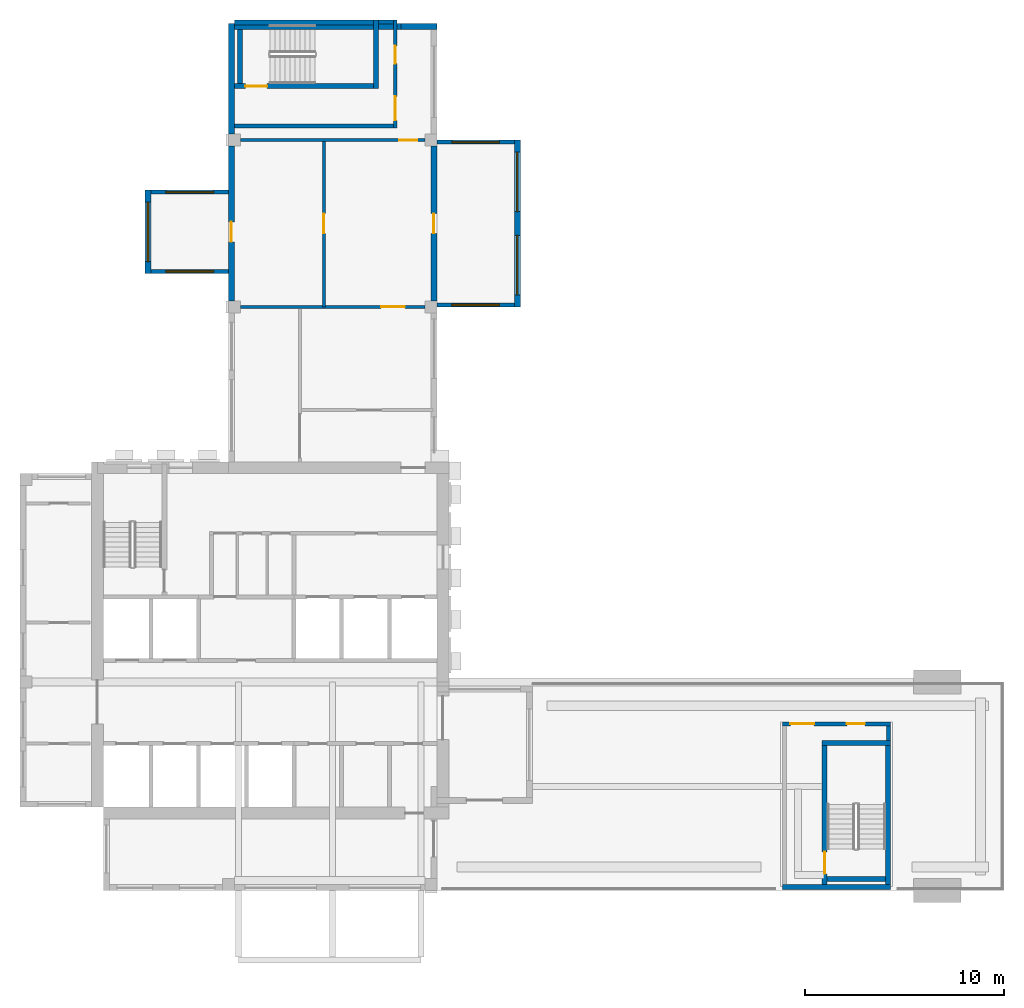
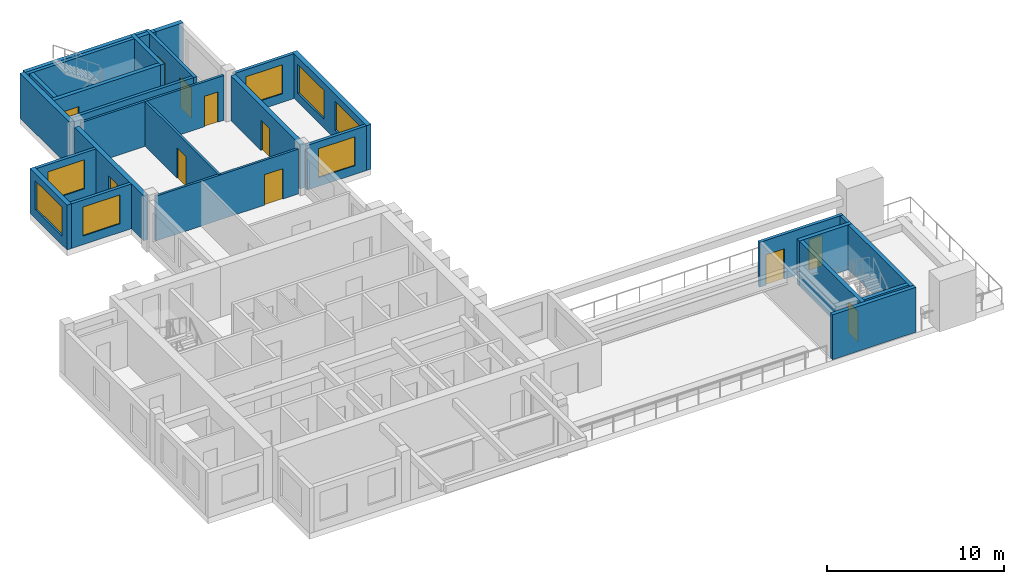
# One storey, part 4 of 9: 28 walls, 11 doors, 7 windows, 18 openings.
"""IFC4 building model written with IfcOpenShell, lengths in metres."""

from ifc_helpers import new_model, si_unit, direction, frame, frame_2d, origin, place, context, subcontext, project, spatial, rectangle, extrude, source, transform, mapped, material, layer, layer_set, type_object, element, fill, save


model = new_model("IFC4")

# Units and contexts
model_context = context("Model", 3, precision=1e-05, world=origin(), true_north=direction((0.0, 1.0)))
body_context = subcontext(model_context, "Body", "Model", "MODEL_VIEW")
ifc_project = project(units=[si_unit("LENGTHUNIT", "METRE"), si_unit("AREAUNIT", "SQUARE_METRE"), si_unit("VOLUMEUNIT", "CUBIC_METRE"), si_unit("PLANEANGLEUNIT", "RADIAN"), si_unit("MASSUNIT", "GRAM", prefix="KILO")], contexts=[model_context])

# Site, building, storey
site_placement = place(None, origin())
site = spatial("IfcSite", under=ifc_project, at=site_placement, CompositionType="ELEMENT")
building_placement = place(site_placement, origin())
building = spatial("IfcBuilding", under=site, at=building_placement, Name="Aurelian Terraces", CompositionType="ELEMENT")
storey_placement = place(building_placement, frame((0.0, 0.0, 330.0)))
storey = spatial("IfcBuildingStorey", under=building, at=storey_placement, Name="L77", CompositionType="ELEMENT", Elevation=330.0)

# Wall, opening, door
ifc_material_1 = material(Name="Gypsum board on steel studs", Category="steel")
ifc_layer_1 = layer(ifc_material_1, 0.15)
ifc_layer_set_1 = layer_set([ifc_layer_1], Name="Partition 150")
wall_type_1 = type_object("IfcWallType", Name="Partition 150", PredefinedType="PARTITIONING", material=ifc_layer_set_1)
wall_1_placement = place(storey_placement, frame((15.3, 37.725, 0.0), z_axis=(0.0, 0.0, 1.0), x_axis=(0.0, -1.0, 0.0)))
wall_1 = element("IfcWall", 1, at=wall_1_placement, inside=storey, type_object=wall_type_1, Name="Partition", PredefinedType="PARTITIONING", context=body_context, shape_type="SweptSolid", body=[
    extrude(rectangle(XDim=8.325, YDim=0.15, at=frame_2d((4.1625, 0.0))), origin(), (0.0, 0.0, 1.0), 3.1),
])
shared_shape_1 = source(origin(), body_context, "Body", "SweptSolid", [
    extrude(rectangle(XDim=1.0, YDim=2.1, at=frame_2d((0.5, 1.05))), frame((0.0, 0.085, 0.0), z_axis=(0.0, -1.0, 0.0), x_axis=(1.0, 0.0, 0.0)), (0.0, 0.0, 1.0), 0.17),
])
opening_1_placement = place(wall_1_placement, frame((3.625, 0.0, 0.0)))
opening_1 = element("IfcOpeningElement", 2, at=opening_1_placement, cuts=wall_1, Name="Opening 777005", PredefinedType="OPENING", context=body_context, shape_type="MappedRepresentation", body=[
    mapped(shared_shape_1, transform((0.0, 0.0, 0.0), scale=1.0)),
])
ifc_material_2 = material(Name="Timber door leaf", Category="wood")
door_type_1 = type_object("IfcDoorType", Name="Room door 1000x2100 right", OperationType="SINGLE_SWING_RIGHT", PredefinedType="DOOR", material=ifc_material_2)
shared_shape_2 = source(origin(), body_context, "Body", "SweptSolid", [
    extrude(rectangle(XDim=1.0, YDim=2.1, at=frame_2d((0.5, 1.05))), frame((0.0, 0.025, 0.0), z_axis=(0.0, -1.0, 0.0), x_axis=(1.0, 0.0, 0.0)), (0.0, 0.0, 1.0), 0.05),
])
door_1_placement = place(opening_1_placement, origin())
door_1 = element("IfcDoor", 3, at=door_1_placement, inside=storey, type_object=door_type_1, Name="Door 777005", OperationType="SINGLE_SWING_RIGHT", OverallHeight=2.1, OverallWidth=1.0, PredefinedType="DOOR", context=body_context, shape_type="MappedRepresentation", body=[
    mapped(shared_shape_2, transform((0.0, 0.0, 0.0), scale=1.0)),
])
fill(opening_1, door_1)

wall_2_placement = place(storey_placement, frame((11.099, 29.4, 0.0), z_axis=(0.0, 0.0, 1.0), x_axis=(1.0, 0.0, 0.0)))
wall_2 = element("IfcWall", 4, at=wall_2_placement, inside=storey, type_object=wall_type_1, Name="Partition", PredefinedType="PARTITIONING", context=body_context, shape_type="SweptSolid", body=[
    extrude(rectangle(XDim=9.302, YDim=0.15, at=frame_2d((4.651, 0.0))), origin(), (0.0, 0.0, 1.0), 3.1),
])
shared_shape_3 = source(origin(), body_context, "Body", "SweptSolid", [
    extrude(rectangle(XDim=1.2, YDim=2.1, at=frame_2d((0.6, 1.05))), frame((0.0, 0.085, 0.0), z_axis=(0.0, -1.0, 0.0), x_axis=(1.0, 0.0, 0.0)), (0.0, 0.0, 1.0), 0.17),
])
opening_2_placement = place(wall_2_placement, frame((7.0885, 0.0, 0.0)))
opening_2 = element("IfcOpeningElement", 5, at=opening_2_placement, cuts=wall_2, Name="Opening 777006", PredefinedType="OPENING", context=body_context, shape_type="MappedRepresentation", body=[
    mapped(shared_shape_3, transform((0.0, 0.0, 0.0), scale=1.0)),
])
door_type_2 = type_object("IfcDoorType", Name="Room door 1200x2100 left", OperationType="SINGLE_SWING_LEFT", PredefinedType="DOOR", material=ifc_material_2)
shared_shape_4 = source(origin(), body_context, "Body", "SweptSolid", [
    extrude(rectangle(XDim=1.2, YDim=2.1, at=frame_2d((0.6, 1.05))), frame((0.0, 0.025, 0.0), z_axis=(0.0, -1.0, 0.0), x_axis=(1.0, 0.0, 0.0)), (0.0, 0.0, 1.0), 0.05),
])
door_2_placement = place(opening_2_placement, origin())
door_2 = element("IfcDoor", 6, at=door_2_placement, inside=storey, type_object=door_type_2, Name="Door 777006", OperationType="SINGLE_SWING_LEFT", OverallHeight=2.1, OverallWidth=1.2, PredefinedType="DOOR", context=body_context, shape_type="MappedRepresentation", body=[
    mapped(shared_shape_4, transform((0.0, 0.0, 0.0), scale=1.0)),
])
fill(opening_2, door_2)

# Wall
ifc_material_3 = material(Name="Concrete fc' 40 MPa", Category="concrete")
ifc_layer_2 = layer(ifc_material_3, 0.25)
ifc_layer_set_2 = layer_set([ifc_layer_2], Name="Stair enclosure wall 250")
wall_type_2 = type_object("IfcWallType", Name="Stair enclosure wall 250", PredefinedType="SOLIDWALL", material=ifc_layer_set_2)
wall_3_placement = place(storey_placement, frame((38.4, 0.175, 0.0), z_axis=(0.0, 0.0, 1.0), x_axis=(1.0, 0.0, 0.0)))
element("IfcWall", 7, at=wall_3_placement, inside=storey, type_object=wall_type_2, Name="L77 core wall ST-S2-S", PredefinedType="SOLIDWALL", context=body_context, shape_type="SweptSolid", body=[
    extrude(rectangle(XDim=5.45, YDim=0.25, at=frame_2d((2.725, 0.0))), origin(), (0.0, 0.0, 1.0), 3.1),
])

# Wall, opening, window
ifc_layer_3 = layer(ifc_material_3, 0.2)
ifc_layer_set_3 = layer_set([ifc_layer_3], Name="BOX BEARING WALL 200")
wall_type_3 = type_object("IfcWallType", Name="BOX BEARING WALL 200", PredefinedType="SOLIDWALL", material=ifc_layer_set_3)
shared_shape_5 = source(origin(), body_context, "Body", "SweptSolid", [
    extrude(rectangle(XDim=3.9, YDim=0.2, at=frame_2d((1.95, 0.0))), origin(), (0.0, 0.0, 1.0), 3.09),
])
wall_4_placement = place(storey_placement, frame((21.0, 29.5, 0.0), z_axis=(0.0, 0.0, 1.0), x_axis=(1.0, 0.0, 0.0)))
wall_4 = element("IfcWall", 8, at=wall_4_placement, inside=storey, type_object=wall_type_3, Name="Box return L77 J91.1", PredefinedType="SOLIDWALL", context=body_context, shape_type="MappedRepresentation", body=[
    mapped(shared_shape_5, transform((0.0, 0.0, 0.0), scale=1.0)),
])
shared_shape_6 = source(origin(), body_context, "Body", "SweptSolid", [
    extrude(rectangle(XDim=2.4, YDim=2.0, at=frame_2d((1.2, 1.0))), frame((0.0, 0.11, 0.0), z_axis=(0.0, -1.0, 0.0), x_axis=(1.0, 0.0, 0.0)), (0.0, 0.0, 1.0), 0.22),
])
opening_3_placement = place(wall_4_placement, frame((0.75, 0.0, 0.6)))
opening_3 = element("IfcOpeningElement", 9, at=opening_3_placement, cuts=wall_4, Name="Opening W2420", PredefinedType="OPENING", context=body_context, shape_type="MappedRepresentation", body=[
    mapped(shared_shape_6, transform((0.0, 0.0, 0.0), scale=1.0)),
])
ifc_material_4 = material(Name="Clear glazing", Category="glass")
window_type_1 = type_object("IfcWindowType", Name="W-2400x2000", PartitioningType="SINGLE_PANEL", PredefinedType="WINDOW", material=ifc_material_4)
shared_shape_7 = source(origin(), body_context, "Body", "SweptSolid", [
    extrude(rectangle(XDim=2.4, YDim=2.0, at=frame_2d((1.2, 1.0))), frame((0.0, 0.03, 0.0), z_axis=(0.0, -1.0, 0.0), x_axis=(1.0, 0.0, 0.0)), (0.0, 0.0, 1.0), 0.06),
])
window_1_placement = place(opening_3_placement, origin())
window_1 = element("IfcWindow", 10, at=window_1_placement, inside=storey, type_object=window_type_1, Name="Window L77 J91-S1", OverallHeight=2.0, OverallWidth=2.4, PartitioningType="SINGLE_PANEL", PredefinedType="WINDOW", context=body_context, shape_type="MappedRepresentation", body=[
    mapped(shared_shape_7, transform((0.0, 0.0, 0.0), scale=1.0)),
])
fill(opening_3, window_1)

wall_5_placement = place(storey_placement, frame((21.0, 37.7, 0.0), z_axis=(0.0, 0.0, 1.0), x_axis=(1.0, 0.0, 0.0)))
wall_5 = element("IfcWall", 11, at=wall_5_placement, inside=storey, type_object=wall_type_3, Name="Box return L77 J91.2", PredefinedType="SOLIDWALL", context=body_context, shape_type="MappedRepresentation", body=[
    mapped(shared_shape_5, transform((0.0, 0.0, 0.0), scale=1.0)),
])
opening_4_placement = place(wall_5_placement, frame((0.75, 0.0, 0.6)))
opening_4 = element("IfcOpeningElement", 12, at=opening_4_placement, cuts=wall_5, Name="Opening W2420", PredefinedType="OPENING", context=body_context, shape_type="MappedRepresentation", body=[
    mapped(shared_shape_6, transform((0.0, 0.0, 0.0), scale=1.0)),
])
window_2_placement = place(opening_4_placement, origin())
window_2 = element("IfcWindow", 13, at=window_2_placement, inside=storey, type_object=window_type_1, Name="Window L77 J91-S2", OverallHeight=2.0, OverallWidth=2.4, PartitioningType="SINGLE_PANEL", PredefinedType="WINDOW", context=body_context, shape_type="MappedRepresentation", body=[
    mapped(shared_shape_7, transform((0.0, 0.0, 0.0), scale=1.0)),
])
fill(opening_4, window_2)

wall_6_placement = place(storey_placement, frame((10.5, 35.18, 0.0), z_axis=(0.0, 0.0, 1.0), x_axis=(-1.0, 0.0, 0.0)))
wall_6 = element("IfcWall", 14, at=wall_6_placement, inside=storey, type_object=wall_type_3, Name="Box return L77 J92.1", PredefinedType="SOLIDWALL", context=body_context, shape_type="MappedRepresentation", body=[
    mapped(shared_shape_5, transform((0.0, 0.0, 0.0), scale=1.0)),
])
opening_5_placement = place(wall_6_placement, frame((0.75, 0.0, 0.6)))
opening_5 = element("IfcOpeningElement", 15, at=opening_5_placement, cuts=wall_6, Name="Opening W2420", PredefinedType="OPENING", context=body_context, shape_type="MappedRepresentation", body=[
    mapped(shared_shape_6, transform((0.0, 0.0, 0.0), scale=1.0)),
])
window_3_placement = place(opening_5_placement, origin())
window_3 = element("IfcWindow", 16, at=window_3_placement, inside=storey, type_object=window_type_1, Name="Window L77 J92-S1", OverallHeight=2.0, OverallWidth=2.4, PartitioningType="SINGLE_PANEL", PredefinedType="WINDOW", context=body_context, shape_type="MappedRepresentation", body=[
    mapped(shared_shape_7, transform((0.0, 0.0, 0.0), scale=1.0)),
])
fill(opening_5, window_3)

wall_7_placement = place(storey_placement, frame((10.5, 31.18, 0.0), z_axis=(0.0, 0.0, 1.0), x_axis=(-1.0, 0.0, 0.0)))
wall_7 = element("IfcWall", 17, at=wall_7_placement, inside=storey, type_object=wall_type_3, Name="Box return L77 J92.2", PredefinedType="SOLIDWALL", context=body_context, shape_type="MappedRepresentation", body=[
    mapped(shared_shape_5, transform((0.0, 0.0, 0.0), scale=1.0)),
])
opening_6_placement = place(wall_7_placement, frame((0.75, 0.0, 0.6)))
opening_6 = element("IfcOpeningElement", 18, at=opening_6_placement, cuts=wall_7, Name="Opening W2420", PredefinedType="OPENING", context=body_context, shape_type="MappedRepresentation", body=[
    mapped(shared_shape_6, transform((0.0, 0.0, 0.0), scale=1.0)),
])
window_4_placement = place(opening_6_placement, origin())
window_4 = element("IfcWindow", 19, at=window_4_placement, inside=storey, type_object=window_type_1, Name="Window L77 J92-S2", OverallHeight=2.0, OverallWidth=2.4, PartitioningType="SINGLE_PANEL", PredefinedType="WINDOW", context=body_context, shape_type="MappedRepresentation", body=[
    mapped(shared_shape_7, transform((0.0, 0.0, 0.0), scale=1.0)),
])
fill(opening_6, window_4)

# Walls
ifc_material_5 = material(Name="Terracotta rainscreen cladding", Category="masonry")
ifc_layer_4 = layer(ifc_material_5, 0.3)
ifc_layer_set_4 = layer_set([ifc_layer_4], Name="EW-300")
wall_type_4 = type_object("IfcWallType", Name="EW-300", PredefinedType="STANDARD", material=ifc_layer_set_4)
shared_shape_8 = source(origin(), body_context, "Body", "SweptSolid", [
    extrude(rectangle(XDim=1.8, YDim=0.3, at=frame_2d((0.9, 0.0))), origin(), (0.0, 0.0, 1.0), 3.1),
])
wall_8_placement = place(storey_placement, frame((21.0, 43.53, 0.0), z_axis=(0.0, 0.0, 1.0), x_axis=(-1.0, 0.0, 0.0)))
element("IfcWall", 20, at=wall_8_placement, inside=storey, type_object=wall_type_4, Name="External wall L77 F03.9", PredefinedType="STANDARD", context=body_context, shape_type="MappedRepresentation", body=[
    mapped(shared_shape_8, transform((0.0, 0.0, 0.0), scale=1.0)),
])
ifc_layer_5 = layer(ifc_material_3, 0.3)
ifc_layer_set_5 = layer_set([ifc_layer_5], Name="STAIR BAY WALL 300")
wall_type_5 = type_object("IfcWallType", Name="STAIR BAY WALL 300", PredefinedType="SOLIDWALL", material=ifc_layer_set_5)
shared_shape_9 = source(origin(), body_context, "Body", "SweptSolid", [
    extrude(rectangle(XDim=8.6, YDim=0.3, at=frame_2d((4.3, 0.0))), origin(), (0.0, 0.0, 1.0), 3.1),
])
wall_9_placement = place(storey_placement, frame((19.2, 43.53, 0.0), z_axis=(0.0, 0.0, 1.0), x_axis=(-1.0, 0.0, 0.0)))
element("IfcWall", 21, at=wall_9_placement, inside=storey, type_object=wall_type_5, Name="Stair bay wall L77 F03.9", PredefinedType="SOLIDWALL", context=body_context, shape_type="MappedRepresentation", body=[
    mapped(shared_shape_9, transform((0.0, 0.0, 0.0), scale=1.0)),
])

# Wall, opening, door
shared_shape_10 = source(origin(), body_context, "Body", "SweptSolid", [
    extrude(rectangle(XDim=7.8, YDim=0.3, at=frame_2d((3.9, 0.0))), origin(), (0.0, 0.0, 1.0), 3.1),
])
wall_10_placement = place(storey_placement, frame((20.85, 29.7, 0.0), z_axis=(0.0, 0.0, 1.0), x_axis=(0.0, 1.0, 0.0)))
wall_10 = element("IfcWall", 22, at=wall_10_placement, inside=storey, type_object=wall_type_4, Name="External wall L77 F02.7", PredefinedType="STANDARD", context=body_context, shape_type="MappedRepresentation", body=[
    mapped(shared_shape_10, transform((0.0, 0.0, 0.0), scale=1.0)),
])
shared_shape_11 = source(origin(), body_context, "Body", "SweptSolid", [
    extrude(rectangle(XDim=1.0, YDim=2.1, at=frame_2d((0.5, 1.05))), frame((0.0, 0.16, 0.0), z_axis=(0.0, -1.0, 0.0), x_axis=(1.0, 0.0, 0.0)), (0.0, 0.0, 1.0), 0.32),
])
opening_7_placement = place(wall_10_placement, frame((3.4, 0.0, 0.0)))
opening_7 = element("IfcOpeningElement", 23, at=opening_7_placement, cuts=wall_10, Name="Opening 877001", PredefinedType="OPENING", context=body_context, shape_type="MappedRepresentation", body=[
    mapped(shared_shape_11, transform((0.0, 0.0, 0.0), scale=1.0)),
])
door_type_3 = type_object("IfcDoorType", Name="Room door 1000x2100 left", OperationType="SINGLE_SWING_LEFT", PredefinedType="DOOR", material=ifc_material_2)
door_3_placement = place(opening_7_placement, origin())
door_3 = element("IfcDoor", 24, at=door_3_placement, inside=storey, type_object=door_type_3, Name="Door 877001", OperationType="SINGLE_SWING_LEFT", OverallHeight=2.1, OverallWidth=1.0, PredefinedType="DOOR", context=body_context, shape_type="MappedRepresentation", body=[
    mapped(shared_shape_2, transform((0.0, 0.0, 0.0), scale=1.0)),
])
fill(opening_7, door_3)

wall_11_placement = place(storey_placement, frame((10.65, 37.5, 0.0), z_axis=(0.0, 0.0, 1.0), x_axis=(0.0, -1.0, 0.0)))
wall_11 = element("IfcWall", 25, at=wall_11_placement, inside=storey, type_object=wall_type_4, Name="External wall L77 F04.10", PredefinedType="STANDARD", context=body_context, shape_type="MappedRepresentation", body=[
    mapped(shared_shape_10, transform((0.0, 0.0, 0.0), scale=1.0)),
])
opening_8_placement = place(wall_11_placement, frame((3.82, 0.0, 0.0)))
opening_8 = element("IfcOpeningElement", 26, at=opening_8_placement, cuts=wall_11, Name="Opening 877002", PredefinedType="OPENING", context=body_context, shape_type="MappedRepresentation", body=[
    mapped(shared_shape_11, transform((0.0, 0.0, 0.0), scale=1.0)),
])
door_4_placement = place(opening_8_placement, origin())
door_4 = element("IfcDoor", 27, at=door_4_placement, inside=storey, type_object=door_type_3, Name="Door 877002", OperationType="SINGLE_SWING_LEFT", OverallHeight=2.1, OverallWidth=1.0, PredefinedType="DOOR", context=body_context, shape_type="MappedRepresentation", body=[
    mapped(shared_shape_2, transform((0.0, 0.0, 0.0), scale=1.0)),
])
fill(opening_8, door_4)

# Wall
shared_shape_12 = source(origin(), body_context, "Body", "SweptSolid", [
    extrude(rectangle(XDim=5.58, YDim=0.3, at=frame_2d((2.79, 0.0))), origin(), (0.0, 0.0, 1.0), 3.1),
])
wall_12_placement = place(storey_placement, frame((10.65, 43.68, 0.0), z_axis=(0.0, 0.0, 1.0), x_axis=(0.0, -1.0, 0.0)))
element("IfcWall", 28, at=wall_12_placement, inside=storey, type_object=wall_type_5, Name="Stair bay wall L77 F04.10", PredefinedType="SOLIDWALL", context=body_context, shape_type="MappedRepresentation", body=[
    mapped(shared_shape_12, transform((0.0, 0.0, 0.0), scale=1.0)),
])

# Wall, openings, windows
ifc_layer_6 = layer(ifc_material_3, 0.3)
ifc_layer_set_6 = layer_set([ifc_layer_6], Name="BOX BEARING WALL 300")
wall_type_6 = type_object("IfcWallType", Name="BOX BEARING WALL 300", PredefinedType="SOLIDWALL", material=ifc_layer_set_6)
shared_shape_13 = source(origin(), body_context, "Body", "SweptSolid", [
    extrude(rectangle(XDim=8.4, YDim=0.3, at=frame_2d((4.2, 0.0))), origin(), (0.0, 0.0, 1.0), 3.09),
])
wall_13_placement = place(storey_placement, frame((25.05, 29.4, 0.0), z_axis=(0.0, 0.0, 1.0), x_axis=(0.0, 1.0, 0.0)))
wall_13 = element("IfcWall", 29, at=wall_13_placement, inside=storey, type_object=wall_type_6, Name="Box wall L77 J91", PredefinedType="SOLIDWALL", context=body_context, shape_type="MappedRepresentation", body=[
    mapped(shared_shape_13, transform((0.0, 0.0, 0.0), scale=1.0)),
])
shared_shape_14 = source(origin(), body_context, "Body", "SweptSolid", [
    extrude(rectangle(XDim=3.0, YDim=2.0, at=frame_2d((1.5, 1.0))), frame((0.0, 0.16, 0.0), z_axis=(0.0, -1.0, 0.0), x_axis=(1.0, 0.0, 0.0)), (0.0, 0.0, 1.0), 0.32),
])
opening_9_placement = place(wall_13_placement, frame((0.6, 0.0, 0.6)))
opening_9 = element("IfcOpeningElement", 30, at=opening_9_placement, cuts=wall_13, Name="Opening W3020", PredefinedType="OPENING", context=body_context, shape_type="MappedRepresentation", body=[
    mapped(shared_shape_14, transform((0.0, 0.0, 0.0), scale=1.0)),
])
opening_10_placement = place(wall_13_placement, frame((4.8, 0.0, 0.6)))
opening_10 = element("IfcOpeningElement", 31, at=opening_10_placement, cuts=wall_13, Name="Opening W3020", PredefinedType="OPENING", context=body_context, shape_type="MappedRepresentation", body=[
    mapped(shared_shape_14, transform((0.0, 0.0, 0.0), scale=1.0)),
])
window_type_2 = type_object("IfcWindowType", Name="W-3000x2000", PartitioningType="SINGLE_PANEL", PredefinedType="WINDOW", material=ifc_material_4)
shared_shape_15 = source(origin(), body_context, "Body", "SweptSolid", [
    extrude(rectangle(XDim=3.0, YDim=2.0, at=frame_2d((1.5, 1.0))), frame((0.0, 0.03, 0.0), z_axis=(0.0, -1.0, 0.0), x_axis=(1.0, 0.0, 0.0)), (0.0, 0.0, 1.0), 0.06),
])
window_5_placement = place(opening_9_placement, origin())
window_5 = element("IfcWindow", 32, at=window_5_placement, inside=storey, type_object=window_type_2, Name="Window L77 J91-F1", OverallHeight=2.0, OverallWidth=3.0, PartitioningType="SINGLE_PANEL", PredefinedType="WINDOW", context=body_context, shape_type="MappedRepresentation", body=[
    mapped(shared_shape_15, transform((0.0, 0.0, 0.0), scale=1.0)),
])
fill(opening_9, window_5)
window_6_placement = place(opening_10_placement, origin())
window_6 = element("IfcWindow", 33, at=window_6_placement, inside=storey, type_object=window_type_2, Name="Window L77 J91-F2", OverallHeight=2.0, OverallWidth=3.0, PartitioningType="SINGLE_PANEL", PredefinedType="WINDOW", context=body_context, shape_type="MappedRepresentation", body=[
    mapped(shared_shape_15, transform((0.0, 0.0, 0.0), scale=1.0)),
])
fill(opening_10, window_6)

# Wall, opening, window
shared_shape_16 = source(origin(), body_context, "Body", "SweptSolid", [
    extrude(rectangle(XDim=4.2, YDim=0.3, at=frame_2d((2.1, 0.0))), origin(), (0.0, 0.0, 1.0), 3.09),
])
wall_14_placement = place(storey_placement, frame((6.45, 35.28, 0.0), z_axis=(0.0, 0.0, 1.0), x_axis=(0.0, -1.0, 0.0)))
wall_14 = element("IfcWall", 34, at=wall_14_placement, inside=storey, type_object=wall_type_6, Name="Box wall L77 J92", PredefinedType="SOLIDWALL", context=body_context, shape_type="MappedRepresentation", body=[
    mapped(shared_shape_16, transform((0.0, 0.0, 0.0), scale=1.0)),
])
opening_11_placement = place(wall_14_placement, frame((0.6, 0.0, 0.6)))
opening_11 = element("IfcOpeningElement", 35, at=opening_11_placement, cuts=wall_14, Name="Opening W3020", PredefinedType="OPENING", context=body_context, shape_type="MappedRepresentation", body=[
    mapped(shared_shape_14, transform((0.0, 0.0, 0.0), scale=1.0)),
])
window_7_placement = place(opening_11_placement, origin())
window_7 = element("IfcWindow", 36, at=window_7_placement, inside=storey, type_object=window_type_2, Name="Window L77 J92-F1", OverallHeight=2.0, OverallWidth=3.0, PartitioningType="SINGLE_PANEL", PredefinedType="WINDOW", context=body_context, shape_type="MappedRepresentation", body=[
    mapped(shared_shape_15, transform((0.0, 0.0, 0.0), scale=1.0)),
])
fill(opening_11, window_7)

# Wall, opening, door
shared_shape_17 = source(origin(), body_context, "Body", "SweptSolid", [
    extrude(rectangle(XDim=7.0, YDim=0.25, at=frame_2d((3.5, 0.0))), origin(), (0.0, 0.0, 1.0), 3.1),
])
wall_15_placement = place(storey_placement, frame((40.525, 0.3, 0.0), z_axis=(0.0, 0.0, 1.0), x_axis=(0.0, 1.0, 0.0)))
wall_15 = element("IfcWall", 37, at=wall_15_placement, inside=storey, type_object=wall_type_2, Name="L77 core wall ST-S2-W", PredefinedType="SOLIDWALL", context=body_context, shape_type="MappedRepresentation", body=[
    mapped(shared_shape_17, transform((0.0, 0.0, 0.0), scale=1.0)),
])
shared_shape_18 = source(origin(), body_context, "Body", "SweptSolid", [
    extrude(rectangle(XDim=1.1, YDim=2.1, at=frame_2d((0.55, 1.05))), frame((0.0, 0.135, 0.0), z_axis=(0.0, -1.0, 0.0), x_axis=(1.0, 0.0, 0.0)), (0.0, 0.0, 1.0), 0.27),
])
opening_12_placement = place(wall_15_placement, frame((0.55, 0.0, 0.0)))
opening_12 = element("IfcOpeningElement", 38, at=opening_12_placement, cuts=wall_15, Name="Opening 68019", PredefinedType="OPENING", context=body_context, shape_type="MappedRepresentation", body=[
    mapped(shared_shape_18, transform((0.0, 0.0, 0.0), scale=1.0)),
])
ifc_material_6 = material(Name="Steel door leaf", Category="steel")
door_type_4 = type_object("IfcDoorType", Name="Core fire door 1100x2100 right", OperationType="SINGLE_SWING_RIGHT", PredefinedType="DOOR", material=ifc_material_6)
shared_shape_19 = source(origin(), body_context, "Body", "SweptSolid", [
    extrude(rectangle(XDim=1.1, YDim=2.1, at=frame_2d((0.55, 1.05))), frame((0.0, 0.025, 0.0), z_axis=(0.0, -1.0, 0.0), x_axis=(1.0, 0.0, 0.0)), (0.0, 0.0, 1.0), 0.05),
])
door_5_placement = place(opening_12_placement, origin())
door_5 = element("IfcDoor", 39, at=door_5_placement, inside=storey, type_object=door_type_4, Name="Stair door 68019", OperationType="SINGLE_SWING_RIGHT", OverallHeight=2.1, OverallWidth=1.1, PredefinedType="DOOR", context=body_context, shape_type="MappedRepresentation", body=[
    mapped(shared_shape_19, transform((0.0, 0.0, 0.0), scale=1.0)),
])
fill(opening_12, door_5)

# Wall
wall_16_placement = place(storey_placement, frame((43.725, 0.3, 0.0), z_axis=(0.0, 0.0, 1.0), x_axis=(0.0, 1.0, 0.0)))
element("IfcWall", 40, at=wall_16_placement, inside=storey, type_object=wall_type_2, Name="L77 core wall ST-S2-E", PredefinedType="SOLIDWALL", context=body_context, shape_type="MappedRepresentation", body=[
    mapped(shared_shape_17, transform((0.0, 0.0, 0.0), scale=1.0)),
])

# Wall, opening, door
wall_17_placement = place(storey_placement, frame((10.8, 40.525, 0.0), z_axis=(0.0, 0.0, 1.0), x_axis=(1.0, 0.0, 0.0)))
wall_17 = element("IfcWall", 41, at=wall_17_placement, inside=storey, type_object=wall_type_2, Name="L77 core wall ST-S3U-W", PredefinedType="SOLIDWALL", context=body_context, shape_type="MappedRepresentation", body=[
    mapped(shared_shape_17, transform((0.0, 0.0, 0.0), scale=1.0)),
])
opening_13_placement = place(wall_17_placement, frame((0.55, 0.0, 0.0)))
opening_13 = element("IfcOpeningElement", 42, at=opening_13_placement, cuts=wall_17, Name="Opening 68022", PredefinedType="OPENING", context=body_context, shape_type="MappedRepresentation", body=[
    mapped(shared_shape_18, transform((0.0, 0.0, 0.0), scale=1.0)),
])
door_type_5 = type_object("IfcDoorType", Name="Core fire door 1100x2100", OperationType="SINGLE_SWING_LEFT", PredefinedType="DOOR", material=ifc_material_6)
door_6_placement = place(opening_13_placement, origin())
door_6 = element("IfcDoor", 43, at=door_6_placement, inside=storey, type_object=door_type_5, Name="Stair door 68022", OperationType="SINGLE_SWING_LEFT", OverallHeight=2.1, OverallWidth=1.1, PredefinedType="DOOR", context=body_context, shape_type="MappedRepresentation", body=[
    mapped(shared_shape_19, transform((0.0, 0.0, 0.0), scale=1.0)),
])
fill(opening_13, door_6)

# Walls
wall_18_placement = place(storey_placement, frame((10.8, 43.725, 0.0), z_axis=(0.0, 0.0, 1.0), x_axis=(1.0, 0.0, 0.0)))
element("IfcWall", 44, at=wall_18_placement, inside=storey, type_object=wall_type_2, Name="L77 core wall ST-S3U-E", PredefinedType="SOLIDWALL", context=body_context, shape_type="MappedRepresentation", body=[
    mapped(shared_shape_17, transform((0.0, 0.0, 0.0), scale=1.0)),
])
shared_shape_20 = source(origin(), body_context, "Body", "SweptSolid", [
    extrude(rectangle(XDim=3.45, YDim=0.25, at=frame_2d((1.725, 0.0))), origin(), (0.0, 0.0, 1.0), 3.1),
])
for number, where, z_axis, x_axis, name in (
    (45, (40.4, 7.425, 0.0), (0.0, 0.0, 1.0), (1.0, 0.0, 0.0), "L77 core wall ST-S2-N"),
    (46, (17.925, 40.4, 0.0), (0.0, 0.0, 1.0), (0.0, 1.0, 0.0), "L77 core wall ST-S3U-N"),
):
    element("IfcWall", number, at=place(storey_placement, frame(where, z_axis=z_axis, x_axis=x_axis)), inside=storey, type_object=wall_type_2, Name=name, PredefinedType="SOLIDWALL", context=body_context, shape_type="MappedRepresentation", body=[
        mapped(shared_shape_20, transform((0.0, 0.0, 0.0), scale=1.0)),
    ])
ifc_layer_7 = layer(ifc_material_1, 0.2)
ifc_layer_set_7 = layer_set([ifc_layer_7], Name="Core partition 200")
wall_type_7 = type_object("IfcWallType", Name="Core partition 200", PredefinedType="PARTITIONING", material=ifc_layer_set_7)
shared_shape_21 = source(origin(), body_context, "Body", "SweptSolid", [
    extrude(rectangle(XDim=8.0, YDim=0.2, at=frame_2d((4.0, 0.0))), origin(), (0.0, 0.0, 1.0), 3.1),
])
wall_19_placement = place(storey_placement, frame((10.8, 38.5, 0.0), z_axis=(0.0, 0.0, 1.0), x_axis=(1.0, 0.0, 0.0)))
element("IfcWall", 47, at=wall_19_placement, inside=storey, type_object=wall_type_7, Name="L77 core wall ST-S3U-VW", PredefinedType="PARTITIONING", context=body_context, shape_type="MappedRepresentation", body=[
    mapped(shared_shape_21, transform((0.0, 0.0, 0.0), scale=1.0)),
])

# Wall, openings, doors
shared_shape_22 = source(origin(), body_context, "Body", "SweptSolid", [
    extrude(rectangle(XDim=5.45, YDim=0.2, at=frame_2d((2.725, 0.0))), origin(), (0.0, 0.0, 1.0), 3.1),
])
wall_20_placement = place(storey_placement, frame((38.4, 8.4, 0.0), z_axis=(0.0, 0.0, 1.0), x_axis=(1.0, 0.0, 0.0)))
wall_20 = element("IfcWall", 48, at=wall_20_placement, inside=storey, type_object=wall_type_7, Name="L77 core wall ST-S2-BN", PredefinedType="PARTITIONING", context=body_context, shape_type="MappedRepresentation", body=[
    mapped(shared_shape_22, transform((0.0, 0.0, 0.0), scale=1.0)),
])
shared_shape_23 = source(origin(), body_context, "Body", "SweptSolid", [
    extrude(rectangle(XDim=1.2, YDim=2.1, at=frame_2d((0.6, 1.05))), frame((0.0, 0.11, 0.0), z_axis=(0.0, -1.0, 0.0), x_axis=(1.0, 0.0, 0.0)), (0.0, 0.0, 1.0), 0.22),
])
opening_14_placement = place(wall_20_placement, frame((0.4, 0.0, 0.0)))
opening_14 = element("IfcOpeningElement", 49, at=opening_14_placement, cuts=wall_20, Name="Opening 68020", PredefinedType="OPENING", context=body_context, shape_type="MappedRepresentation", body=[
    mapped(shared_shape_23, transform((0.0, 0.0, 0.0), scale=1.0)),
])
shared_shape_24 = source(origin(), body_context, "Body", "SweptSolid", [
    extrude(rectangle(XDim=0.9, YDim=2.1, at=frame_2d((0.45, 1.05))), frame((0.0, 0.11, 0.0), z_axis=(0.0, -1.0, 0.0), x_axis=(1.0, 0.0, 0.0)), (0.0, 0.0, 1.0), 0.22),
])
opening_15_placement = place(wall_20_placement, frame((3.25, 0.0, 0.0)))
opening_15 = element("IfcOpeningElement", 50, at=opening_15_placement, cuts=wall_20, Name="Opening 68021", PredefinedType="OPENING", context=body_context, shape_type="MappedRepresentation", body=[
    mapped(shared_shape_24, transform((0.0, 0.0, 0.0), scale=1.0)),
])
door_type_6 = type_object("IfcDoorType", Name="Core riser door 900x2100 right", OperationType="SINGLE_SWING_RIGHT", PredefinedType="DOOR", material=ifc_material_6)
shared_shape_25 = source(origin(), body_context, "Body", "SweptSolid", [
    extrude(rectangle(XDim=0.9, YDim=2.1, at=frame_2d((0.45, 1.05))), frame((0.0, 0.025, 0.0), z_axis=(0.0, -1.0, 0.0), x_axis=(1.0, 0.0, 0.0)), (0.0, 0.0, 1.0), 0.05),
])
door_7_placement = place(opening_15_placement, origin())
door_7 = element("IfcDoor", 51, at=door_7_placement, inside=storey, type_object=door_type_6, Name="Riser door 68021", OperationType="SINGLE_SWING_RIGHT", OverallHeight=2.1, OverallWidth=0.9, PredefinedType="DOOR", context=body_context, shape_type="MappedRepresentation", body=[
    mapped(shared_shape_25, transform((0.0, 0.0, 0.0), scale=1.0)),
])
fill(opening_15, door_7)
door_type_7 = type_object("IfcDoorType", Name="Core fire door 1200x2100", OperationType="SINGLE_SWING_LEFT", PredefinedType="DOOR", material=ifc_material_6)
door_8_placement = place(opening_14_placement, origin())
door_8 = element("IfcDoor", 52, at=door_8_placement, inside=storey, type_object=door_type_7, Name="Vestibule door 68020", OperationType="SINGLE_SWING_LEFT", OverallHeight=2.1, OverallWidth=1.2, PredefinedType="DOOR", context=body_context, shape_type="MappedRepresentation", body=[
    mapped(shared_shape_4, transform((0.0, 0.0, 0.0), scale=1.0)),
])
fill(opening_14, door_8)

wall_21_placement = place(storey_placement, frame((18.9, 38.4, 0.0), z_axis=(0.0, 0.0, 1.0), x_axis=(0.0, 1.0, 0.0)))
wall_21 = element("IfcWall", 53, at=wall_21_placement, inside=storey, type_object=wall_type_7, Name="L77 core wall ST-S3U-BN", PredefinedType="PARTITIONING", context=body_context, shape_type="MappedRepresentation", body=[
    mapped(shared_shape_22, transform((0.0, 0.0, 0.0), scale=1.0)),
])
opening_16_placement = place(wall_21_placement, frame((0.4, 0.0, 0.0)))
opening_16 = element("IfcOpeningElement", 54, at=opening_16_placement, cuts=wall_21, Name="Opening 68023", PredefinedType="OPENING", context=body_context, shape_type="MappedRepresentation", body=[
    mapped(shared_shape_23, transform((0.0, 0.0, 0.0), scale=1.0)),
])
opening_17_placement = place(wall_21_placement, frame((3.25, 0.0, 0.0)))
opening_17 = element("IfcOpeningElement", 55, at=opening_17_placement, cuts=wall_21, Name="Opening 68024", PredefinedType="OPENING", context=body_context, shape_type="MappedRepresentation", body=[
    mapped(shared_shape_24, transform((0.0, 0.0, 0.0), scale=1.0)),
])
door_type_8 = type_object("IfcDoorType", Name="Core riser door 900x2100", OperationType="SINGLE_SWING_LEFT", PredefinedType="DOOR", material=ifc_material_6)
door_9_placement = place(opening_17_placement, origin())
door_9 = element("IfcDoor", 56, at=door_9_placement, inside=storey, type_object=door_type_8, Name="Riser door 68024", OperationType="SINGLE_SWING_LEFT", OverallHeight=2.1, OverallWidth=0.9, PredefinedType="DOOR", context=body_context, shape_type="MappedRepresentation", body=[
    mapped(shared_shape_25, transform((0.0, 0.0, 0.0), scale=1.0)),
])
fill(opening_17, door_9)
door_type_9 = type_object("IfcDoorType", Name="Core fire door 1200x2100 right", OperationType="SINGLE_SWING_RIGHT", PredefinedType="DOOR", material=ifc_material_6)
door_10_placement = place(opening_16_placement, origin())
door_10 = element("IfcDoor", 57, at=door_10_placement, inside=storey, type_object=door_type_9, Name="Vestibule door 68023", OperationType="SINGLE_SWING_RIGHT", OverallHeight=2.1, OverallWidth=1.2, PredefinedType="DOOR", context=body_context, shape_type="MappedRepresentation", body=[
    mapped(shared_shape_4, transform((0.0, 0.0, 0.0), scale=1.0)),
])
fill(opening_16, door_10)

# Walls
shared_shape_26 = source(origin(), body_context, "Body", "SweptSolid", [
    extrude(rectangle(XDim=0.75, YDim=0.2, at=frame_2d((0.375, 0.0))), origin(), (0.0, 0.0, 1.0), 3.1),
])
for number, where, z_axis, x_axis, name in (
    (58, (43.75, 7.55, 0.0), (0.0, 0.0, 1.0), (0.0, 1.0, 0.0), "L77 core wall ST-S2-RE"),
    (59, (18.05, 43.75, 0.0), (0.0, 0.0, 1.0), (1.0, 0.0, 0.0), "L77 core wall ST-S3U-RE"),
):
    element("IfcWall", number, at=place(storey_placement, frame(where, z_axis=z_axis, x_axis=x_axis)), inside=storey, type_object=wall_type_7, Name=name, PredefinedType="PARTITIONING", context=body_context, shape_type="MappedRepresentation", body=[
        mapped(shared_shape_26, transform((0.0, 0.0, 0.0), scale=1.0)),
    ])
shared_shape_27 = source(origin(), body_context, "Body", "SweptSolid", [
    extrude(rectangle(XDim=2.95, YDim=0.25, at=frame_2d((1.475, 0.0))), origin(), (0.0, 0.0, 1.0), 3.1),
])
wall_22_placement = place(storey_placement, frame((40.65, 0.575, 0.0), z_axis=(0.0, 0.0, 1.0), x_axis=(1.0, 0.0, 0.0)))
element("IfcWall", 60, at=wall_22_placement, inside=storey, type_object=wall_type_2, Name="L77 core wall ST-S2-SS", PredefinedType="SOLIDWALL", context=body_context, shape_type="MappedRepresentation", body=[
    mapped(shared_shape_27, transform((0.0, 0.0, 0.0), scale=1.0)),
])
shared_shape_28 = source(origin(), body_context, "Body", "SweptSolid", [
    extrude(rectangle(XDim=2.73, YDim=0.25, at=frame_2d((1.365, 0.0))), origin(), (0.0, 0.0, 1.0), 3.1),
])
wall_23_placement = place(storey_placement, frame((11.075, 40.65, 0.0), z_axis=(0.0, 0.0, 1.0), x_axis=(0.0, 1.0, 0.0)))
element("IfcWall", 61, at=wall_23_placement, inside=storey, type_object=wall_type_2, Name="L77 core wall ST-S3U-SS", PredefinedType="SOLIDWALL", context=body_context, shape_type="MappedRepresentation", body=[
    mapped(shared_shape_28, transform((0.0, 0.0, 0.0), scale=1.0)),
])

# Wall, opening, door
shared_shape_29 = source(origin(), body_context, "Body", "SweptSolid", [
    extrude(rectangle(XDim=9.302, YDim=0.15, at=frame_2d((4.651, 0.0))), origin(), (0.0, 0.0, 1.0), 3.1),
])
wall_24_placement = place(storey_placement, frame((20.401, 37.8, 0.0), z_axis=(0.0, 0.0, 1.0), x_axis=(-1.0, 0.0, 0.0)))
wall_24 = element("IfcWall", 62, at=wall_24_placement, inside=storey, type_object=wall_type_1, Name="Partition", PredefinedType="PARTITIONING", context=body_context, shape_type="MappedRepresentation", body=[
    mapped(shared_shape_29, transform((0.0, 0.0, 0.0), scale=1.0)),
])
shared_shape_30 = source(origin(), body_context, "Body", "SweptSolid", [
    extrude(rectangle(XDim=0.9, YDim=2.1, at=frame_2d((0.45, 1.05))), frame((0.0, 0.085, 0.0), z_axis=(0.0, -1.0, 0.0), x_axis=(1.0, 0.0, 0.0)), (0.0, 0.0, 1.0), 0.17),
])
opening_18_placement = place(wall_24_placement, frame((0.401, 0.0, 0.0)))
opening_18 = element("IfcOpeningElement", 63, at=opening_18_placement, cuts=wall_24, Name="Opening 777008", PredefinedType="OPENING", context=body_context, shape_type="MappedRepresentation", body=[
    mapped(shared_shape_30, transform((0.0, 0.0, 0.0), scale=1.0)),
])
door_type_10 = type_object("IfcDoorType", Name="Room door 900x2100 right", OperationType="SINGLE_SWING_RIGHT", PredefinedType="DOOR", material=ifc_material_2)
door_11_placement = place(opening_18_placement, origin())
door_11 = element("IfcDoor", 64, at=door_11_placement, inside=storey, type_object=door_type_10, Name="Door 777008", OperationType="SINGLE_SWING_RIGHT", OverallHeight=2.1, OverallWidth=0.9, PredefinedType="DOOR", context=body_context, shape_type="MappedRepresentation", body=[
    mapped(shared_shape_25, transform((0.0, 0.0, 0.0), scale=1.0)),
])
fill(opening_18, door_11)

save(model, "model.ifc")
